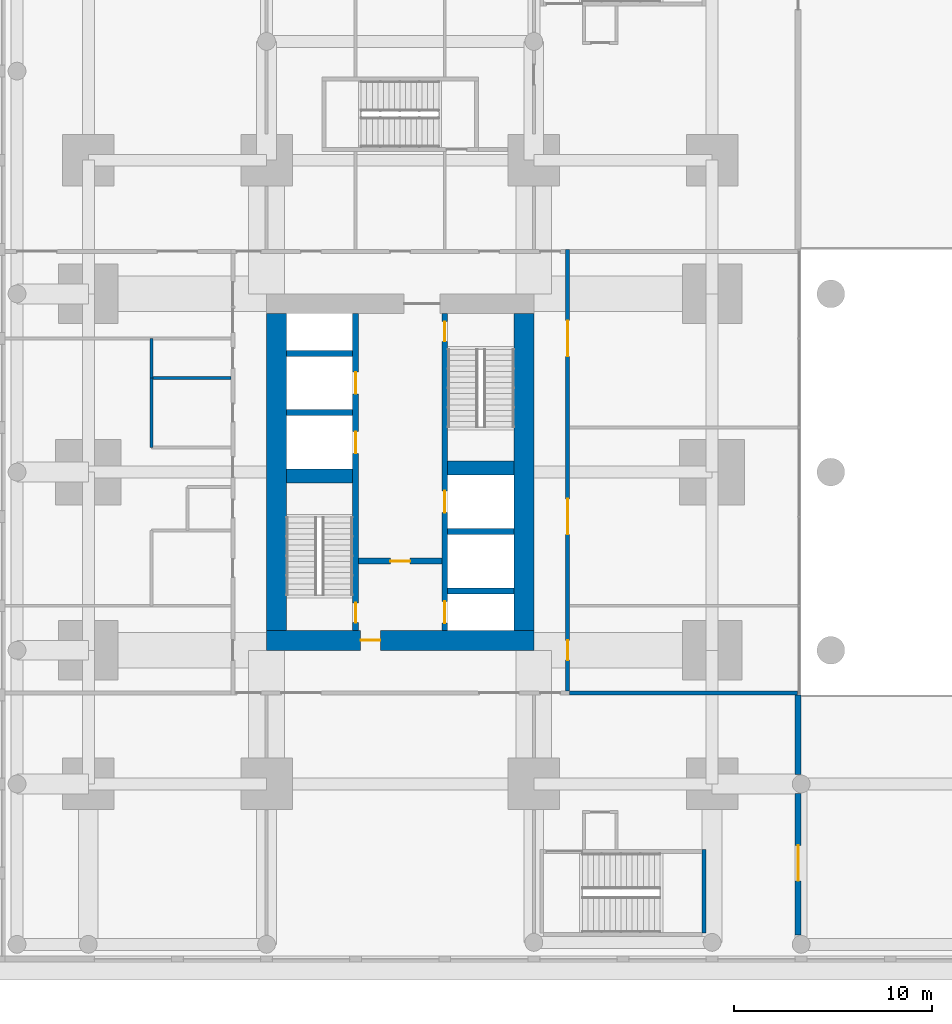
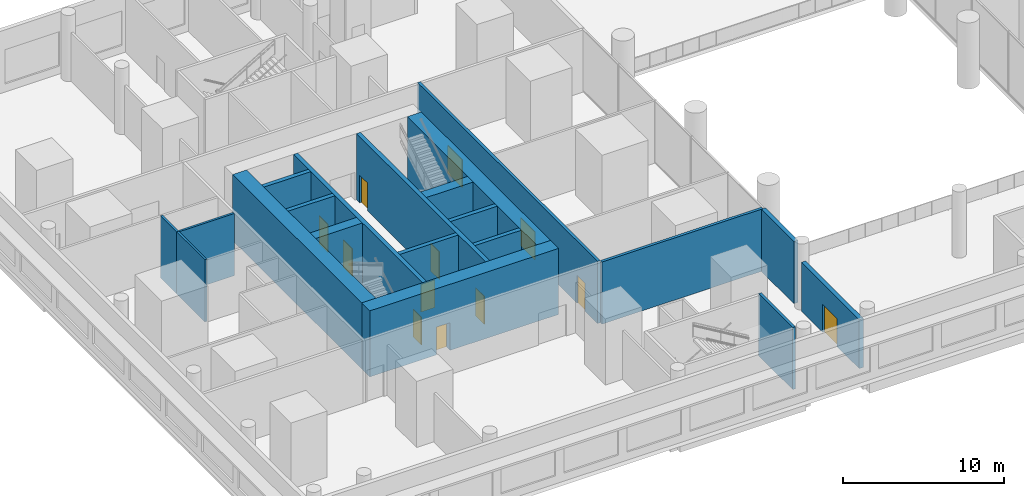
# One storey, part 10 of 21: 20 walls, 12 doors, 12 openings.
"""IFC4 building model written with IfcOpenShell, lengths in metres."""

from ifc_helpers import new_model, si_unit, direction, frame, frame_2d, origin, place, context, subcontext, project, spatial, rectangle, extrude, material, layer, layer_set, type_object, element, fill, save


model = new_model("IFC4")

# Units and contexts
model_context = context("Model", 3, precision=1e-05, world=origin(), true_north=direction((0.0, 1.0)))
body_context = subcontext(model_context, "Body", "Model", "MODEL_VIEW")
ifc_project = project(units=[si_unit("LENGTHUNIT", "METRE"), si_unit("AREAUNIT", "SQUARE_METRE"), si_unit("VOLUMEUNIT", "CUBIC_METRE"), si_unit("PLANEANGLEUNIT", "RADIAN"), si_unit("MASSUNIT", "GRAM", prefix="KILO")], contexts=[model_context])

# Site, building, storey
site_placement = place(None, origin())
site = spatial("IfcSite", under=ifc_project, at=site_placement, CompositionType="ELEMENT")
building_placement = place(site_placement, origin())
building = spatial("IfcBuilding", under=site, at=building_placement, Name="Namib Vertical Campus", CompositionType="ELEMENT")
storey_placement = place(building_placement, frame((0.0, 0.0, 6.0)))
storey = spatial("IfcBuildingStorey", under=building, at=storey_placement, Name="L01", CompositionType="ELEMENT", Elevation=6.0)

# Wall, openings, doors
ifc_material_1 = material(Name="Concrete C60/75", Category="concrete")
ifc_layer_1 = layer(ifc_material_1, 0.300048828125)
ifc_layer_set_1 = layer_set([ifc_layer_1], Name="Concrete C60/75")
wall_type_1 = type_object("IfcWallType", Name="Core inner wall 300", PredefinedType="SHEAR", material=ifc_layer_set_1)
wall_1_placement = place(storey_placement, frame((18.0, 12.25, 0.0), z_axis=(0.0, 0.0, 1.0), x_axis=(0.0, 1.0, 0.0)))
wall_1 = element("IfcWall", 1, at=wall_1_placement, inside=storey, type_object=wall_type_1, Name="Core inner wall A L01 W1", PredefinedType="SHEAR", context=body_context, shape_type="SweptSolid", body=[
    extrude(rectangle(XDim=16.0, YDim=0.300048828125, at=frame_2d((8.0, 0.0))), origin(), (0.0, 0.0, 1.0), 5.0),
])
opening_1_placement = place(wall_1_placement, frame((0.39990234375, 0.0, 0.0)))
opening_1 = element("IfcOpeningElement", 2, at=opening_1_placement, cuts=wall_1, Name="Opening FD1", PredefinedType="OPENING", context=body_context, shape_type="SweptSolid", body=[
    extrude(rectangle(XDim=1.0, YDim=2.10009765625, at=frame_2d((0.5, 1.050048828125))), frame((0.0, 0.159912109375, 0.0), z_axis=(0.0, -1.0, 0.0), x_axis=(1.0, 0.0, 0.0)), (0.0, 0.0, 1.0), 0.320068359375),
])
opening_2_placement = place(wall_1_placement, frame((8.949951171875, 0.0, 0.0)))
opening_2 = element("IfcOpeningElement", 3, at=opening_2_placement, cuts=wall_1, Name="Opening LD1", PredefinedType="OPENING", context=body_context, shape_type="SweptSolid", body=[
    extrude(rectangle(XDim=1.10009765625, YDim=2.10009765625, at=frame_2d((0.550048828125, 1.050048828125))), frame((0.0, 0.159912109375, 0.0), z_axis=(0.0, -1.0, 0.0), x_axis=(1.0, 0.0, 0.0)), (0.0, 0.0, 1.0), 0.320068359375),
])
opening_3_placement = place(wall_1_placement, frame((11.949951171875, 0.0, 0.0)))
opening_3 = element("IfcOpeningElement", 4, at=opening_3_placement, cuts=wall_1, Name="Opening LD1", PredefinedType="OPENING", context=body_context, shape_type="SweptSolid", body=[
    extrude(rectangle(XDim=1.10009765625, YDim=2.10009765625, at=frame_2d((0.550048828125, 1.050048828125))), frame((0.0, 0.159912109375, 0.0), z_axis=(0.0, -1.0, 0.0), x_axis=(1.0, 0.0, 0.0)), (0.0, 0.0, 1.0), 0.320068359375),
])
ifc_material_2 = material(Name="Steel fire door", Category="steel")
door_type_1 = type_object("IfcDoorType", Name="Fire door 1000x2100", OperationType="SINGLE_SWING_RIGHT", PredefinedType="DOOR", material=ifc_material_2)
door_1_placement = place(opening_1_placement, origin())
door_1 = element("IfcDoor", 5, at=door_1_placement, inside=storey, type_object=door_type_1, Name="Stair door FD1 A L01 S1", OperationType="SINGLE_SWING_LEFT", OverallHeight=2.10009765625, OverallWidth=1.0, PredefinedType="DOOR", context=body_context, shape_type="SweptSolid", body=[
    extrude(rectangle(XDim=1.0, YDim=2.10009765625, at=frame_2d((0.5, 1.050048828125))), frame((0.0, 0.02490234375, 0.0), z_axis=(0.0, -1.0, 0.0), x_axis=(1.0, 0.0, 0.0)), (0.0, 0.0, 1.0), 0.050048828125),
])
fill(opening_1, door_1)
ifc_material_3 = material(Name="Stainless steel lift door", Category="steel")
door_type_2 = type_object("IfcDoorType", Name="Lift landing door 1100x2100", OperationType="DOUBLE_DOOR_SLIDING", PredefinedType="DOOR", material=ifc_material_3)
door_2_placement = place(opening_2_placement, origin())
door_2 = element("IfcDoor", 6, at=door_2_placement, inside=storey, type_object=door_type_2, Name="Lift landing door LD1 A-P1 L01", OperationType="DOUBLE_DOOR_SLIDING", OverallHeight=2.10009765625, OverallWidth=1.10009765625, PredefinedType="DOOR", context=body_context, shape_type="SweptSolid", body=[
    extrude(rectangle(XDim=1.10009765625, YDim=2.10009765625, at=frame_2d((0.550048828125, 1.050048828125))), frame((0.0, 0.02490234375, 0.0), z_axis=(0.0, -1.0, 0.0), x_axis=(1.0, 0.0, 0.0)), (0.0, 0.0, 1.0), 0.050048828125),
])
fill(opening_2, door_2)
door_3_placement = place(opening_3_placement, origin())
door_3 = element("IfcDoor", 7, at=door_3_placement, inside=storey, type_object=door_type_2, Name="Lift landing door LD1 A-P2 L01", OperationType="DOUBLE_DOOR_SLIDING", OverallHeight=2.10009765625, OverallWidth=1.10009765625, PredefinedType="DOOR", context=body_context, shape_type="SweptSolid", body=[
    extrude(rectangle(XDim=1.10009765625, YDim=2.10009765625, at=frame_2d((0.550048828125, 1.050048828125))), frame((0.0, 0.02490234375, 0.0), z_axis=(0.0, -1.0, 0.0), x_axis=(1.0, 0.0, 0.0)), (0.0, 0.0, 1.0), 0.050048828125),
])
fill(opening_3, door_3)

wall_2_placement = place(storey_placement, frame((22.5, 12.25, 0.0), z_axis=(0.0, 0.0, 1.0), x_axis=(0.0, 1.0, 0.0)))
wall_2 = element("IfcWall", 8, at=wall_2_placement, inside=storey, type_object=wall_type_1, Name="Core inner wall A L01 W2", PredefinedType="SHEAR", context=body_context, shape_type="SweptSolid", body=[
    extrude(rectangle(XDim=16.0, YDim=0.300048828125, at=frame_2d((8.0, 0.0))), origin(), (0.0, 0.0, 1.0), 5.0),
])
opening_4_placement = place(wall_2_placement, frame((14.60009765625, 0.0, 0.0)))
opening_4 = element("IfcOpeningElement", 9, at=opening_4_placement, cuts=wall_2, Name="Opening FD1", PredefinedType="OPENING", context=body_context, shape_type="SweptSolid", body=[
    extrude(rectangle(XDim=1.0, YDim=2.10009765625, at=frame_2d((0.5, 1.050048828125))), frame((0.0, 0.159912109375, 0.0), z_axis=(0.0, -1.0, 0.0), x_axis=(1.0, 0.0, 0.0)), (0.0, 0.0, 1.0), 0.320068359375),
])
opening_5_placement = place(wall_2_placement, frame((0.375, 0.0, 0.0)))
opening_5 = element("IfcOpeningElement", 10, at=opening_5_placement, cuts=wall_2, Name="Opening LD1", PredefinedType="OPENING", context=body_context, shape_type="SweptSolid", body=[
    extrude(rectangle(XDim=1.10009765625, YDim=2.10009765625, at=frame_2d((0.550048828125, 1.050048828125))), frame((0.0, 0.159912109375, 0.0), z_axis=(0.0, -1.0, 0.0), x_axis=(1.0, 0.0, 0.0)), (0.0, 0.0, 1.0), 0.320068359375),
])
opening_6_placement = place(wall_2_placement, frame((5.949951171875, 0.0, 0.0)))
opening_6 = element("IfcOpeningElement", 11, at=opening_6_placement, cuts=wall_2, Name="Opening LD1", PredefinedType="OPENING", context=body_context, shape_type="SweptSolid", body=[
    extrude(rectangle(XDim=1.10009765625, YDim=2.10009765625, at=frame_2d((0.550048828125, 1.050048828125))), frame((0.0, 0.159912109375, 0.0), z_axis=(0.0, -1.0, 0.0), x_axis=(1.0, 0.0, 0.0)), (0.0, 0.0, 1.0), 0.320068359375),
])
door_4_placement = place(opening_4_placement, frame((1.0, 0.0, 0.0), z_axis=(0.0, 0.0, 1.0), x_axis=(-1.0, 0.0, 0.0)))
door_4 = element("IfcDoor", 12, at=door_4_placement, inside=storey, type_object=door_type_1, Name="Stair door FD1 A L01 S2", OperationType="SINGLE_SWING_LEFT", OverallHeight=2.10009765625, OverallWidth=1.0, PredefinedType="DOOR", context=body_context, shape_type="SweptSolid", body=[
    extrude(rectangle(XDim=1.0, YDim=2.10009765625, at=frame_2d((0.5, 1.050048828125))), frame((0.0, 0.02490234375, 0.0), z_axis=(0.0, -1.0, 0.0), x_axis=(1.0, 0.0, 0.0)), (0.0, 0.0, 1.0), 0.050048828125),
])
fill(opening_4, door_4)
door_5_placement = place(opening_5_placement, origin())
door_5 = element("IfcDoor", 13, at=door_5_placement, inside=storey, type_object=door_type_2, Name="Lift landing door LD1 A-FL1 L01", OperationType="DOUBLE_DOOR_SLIDING", OverallHeight=2.10009765625, OverallWidth=1.10009765625, PredefinedType="DOOR", context=body_context, shape_type="SweptSolid", body=[
    extrude(rectangle(XDim=1.10009765625, YDim=2.10009765625, at=frame_2d((0.550048828125, 1.050048828125))), frame((0.0, 0.02490234375, 0.0), z_axis=(0.0, -1.0, 0.0), x_axis=(1.0, 0.0, 0.0)), (0.0, 0.0, 1.0), 0.050048828125),
])
fill(opening_5, door_5)
door_6_placement = place(opening_6_placement, origin())
door_6 = element("IfcDoor", 14, at=door_6_placement, inside=storey, type_object=door_type_2, Name="Lift landing door LD1 A-P5 L01", OperationType="DOUBLE_DOOR_SLIDING", OverallHeight=2.10009765625, OverallWidth=1.10009765625, PredefinedType="DOOR", context=body_context, shape_type="SweptSolid", body=[
    extrude(rectangle(XDim=1.10009765625, YDim=2.10009765625, at=frame_2d((0.550048828125, 1.050048828125))), frame((0.0, 0.02490234375, 0.0), z_axis=(0.0, -1.0, 0.0), x_axis=(1.0, 0.0, 0.0)), (0.0, 0.0, 1.0), 0.050048828125),
])
fill(opening_6, door_6)

# Wall, opening, door
wall_3_placement = place(storey_placement, frame((18.14990234375, 15.75, 0.0), z_axis=(0.0, 0.0, 1.0), x_axis=(1.0, 0.0, 0.0)))
wall_3 = element("IfcWall", 15, at=wall_3_placement, inside=storey, type_object=wall_type_1, Name="Core inner wall A L01 W4", PredefinedType="SHEAR", context=body_context, shape_type="SweptSolid", body=[
    extrude(rectangle(XDim=4.2001953125, YDim=0.300048828125, at=frame_2d((2.10009765625, 0.0))), origin(), (0.0, 0.0, 1.0), 5.0),
])
opening_7_placement = place(wall_3_placement, frame((1.60009765625, 0.0, 0.0)))
opening_7 = element("IfcOpeningElement", 16, at=opening_7_placement, cuts=wall_3, Name="Opening FD5", PredefinedType="OPENING", context=body_context, shape_type="SweptSolid", body=[
    extrude(rectangle(XDim=1.0, YDim=2.10009765625, at=frame_2d((0.5, 1.050048828125))), frame((0.0, 0.159912109375, 0.0), z_axis=(0.0, -1.0, 0.0), x_axis=(1.0, 0.0, 0.0)), (0.0, 0.0, 1.0), 0.320068359375),
])
ifc_material_4 = material(Name="Steel fire door", Category="steel")
door_type_3 = type_object("IfcDoorType", Name="Fire door 1000x2100 120 min", OperationType="SINGLE_SWING_RIGHT", PredefinedType="DOOR", material=ifc_material_4)
door_7_placement = place(opening_7_placement, frame((1.0, 0.0, 0.0), z_axis=(0.0, 0.0, 1.0), x_axis=(-1.0, 0.0, 0.0)))
door_7 = element("IfcDoor", 17, at=door_7_placement, inside=storey, type_object=door_type_3, Name="Lobby door FD5 A L01", OperationType="SINGLE_SWING_RIGHT", OverallHeight=2.10009765625, OverallWidth=1.0, PredefinedType="DOOR", context=body_context, shape_type="SweptSolid", body=[
    extrude(rectangle(XDim=1.0, YDim=2.10009765625, at=frame_2d((0.5, 1.050048828125))), frame((0.0, 0.02490234375, 0.0), z_axis=(0.0, -1.0, 0.0), x_axis=(1.0, 0.0, 0.0)), (0.0, 0.0, 1.0), 0.050048828125),
])
fill(opening_7, door_7)

# Walls
for number, where, z_axis, x_axis, name in (
    (18, (22.64990234375, 14.25, 0.0), (0.0, 0.0, 1.0), (1.0, 0.0, 0.0), "Core inner wall A L01 W5"),
    (19, (22.64990234375, 17.25, 0.0), (0.0, 0.0, 1.0), (1.0, 0.0, 0.0), "Core inner wall A L01 W6"),
    (20, (14.5, 23.25, 0.0), (0.0, 0.0, 1.0), (1.0, 0.0, 0.0), "Core inner wall A L01 W8"),
    (21, (14.5, 26.25, 0.0), (0.0, 0.0, 1.0), (1.0, 0.0, 0.0), "Core inner wall A L01 W9"),
):
    element("IfcWall", number, at=place(storey_placement, frame(where, z_axis=z_axis, x_axis=x_axis)), inside=storey, type_object=wall_type_1, Name=name, PredefinedType="SHEAR", context=body_context, shape_type="SweptSolid", body=[
        extrude(rectangle(XDim=3.35009765625, YDim=0.300048828125, at=frame_2d((1.675048828125, 0.0))), origin(), (0.0, 0.0, 1.0), 5.0),
    ])
ifc_material_5 = material(Name="Concrete C60/75", Category="concrete")
ifc_layer_2 = layer(ifc_material_5, 0.699951171875)
ifc_layer_set_2 = layer_set([ifc_layer_2], Name="Concrete C60/75")
wall_type_2 = type_object("IfcWallType", Name="Core shear wall 700", PredefinedType="SHEAR", material=ifc_layer_set_2)
for number, where, z_axis, x_axis, name in (
    (22, (14.5, 20.050048828125, 0.0), (0.0, 0.0, 1.0), (1.0, 0.0, 0.0), "Core shear wall A L01 W3"),
    (23, (22.64990234375, 20.449951171875, 0.0), (0.0, 0.0, 1.0), (1.0, 0.0, 0.0), "Core shear wall A L01 W7"),
):
    element("IfcWall", number, at=place(storey_placement, frame(where, z_axis=z_axis, x_axis=x_axis)), inside=storey, type_object=wall_type_2, Name=name, PredefinedType="SHEAR", context=body_context, shape_type="SweptSolid", body=[
        extrude(rectangle(XDim=3.35009765625, YDim=0.699951171875, at=frame_2d((1.675048828125, 0.0))), origin(), (0.0, 0.0, 1.0), 5.0),
    ])

# Wall, opening, door
ifc_material_6 = material(Name="Concrete C60/75", Category="concrete")
ifc_layer_3 = layer(ifc_material_6, 1.0)
ifc_layer_set_3 = layer_set([ifc_layer_3], Name="Concrete C60/75")
wall_type_3 = type_object("IfcWallType", Name="Core wall 1000", PredefinedType="SHEAR", material=ifc_layer_set_3)
wall_4_placement = place(storey_placement, frame((13.5, 11.75, 0.0), z_axis=(0.0, 0.0, 1.0), x_axis=(1.0, 0.0, 0.0)))
wall_4 = element("IfcWall", 24, at=wall_4_placement, inside=storey, type_object=wall_type_3, Name="Core wall A L01 1", PredefinedType="SHEAR", context=body_context, shape_type="SweptSolid", body=[
    extrude(rectangle(XDim=13.5, YDim=1.0, at=frame_2d((6.75, 0.0))), origin(), (0.0, 0.0, 1.0), 5.0),
])
opening_8_placement = place(wall_4_placement, frame((4.75, 0.0, 0.0)))
opening_8 = element("IfcOpeningElement", 25, at=opening_8_placement, cuts=wall_4, Name="Opening FD5", PredefinedType="OPENING", context=body_context, shape_type="SweptSolid", body=[
    extrude(rectangle(XDim=1.0, YDim=2.10009765625, at=frame_2d((0.5, 1.050048828125))), frame((0.0, 0.510009765625, 0.0), z_axis=(0.0, -1.0, 0.0), x_axis=(1.0, 0.0, 0.0)), (0.0, 0.0, 1.0), 1.02001953125),
])
door_8_placement = place(opening_8_placement, origin())
door_8 = element("IfcDoor", 26, at=door_8_placement, inside=storey, type_object=door_type_3, Name="Firefighting lobby door FD5 A L01", OperationType="SINGLE_SWING_LEFT", OverallHeight=2.10009765625, OverallWidth=1.0, PredefinedType="DOOR", context=body_context, shape_type="SweptSolid", body=[
    extrude(rectangle(XDim=1.0, YDim=2.10009765625, at=frame_2d((0.5, 1.050048828125))), frame((0.0, 0.02490234375, 0.0), z_axis=(0.0, -1.0, 0.0), x_axis=(1.0, 0.0, 0.0)), (0.0, 0.0, 1.0), 0.050048828125),
])
fill(opening_8, door_8)

# Walls
for number, where, z_axis, x_axis, name in (
    (27, (26.5, 12.25, 0.0), (0.0, 0.0, 1.0), (0.0, 1.0, 0.0), "Core wall A L01 2"),
    (28, (14.0, 28.25, 0.0), (0.0, 0.0, 1.0), (0.0, -1.0, 0.0), "Core wall A L01 4"),
):
    element("IfcWall", number, at=place(storey_placement, frame(where, z_axis=z_axis, x_axis=x_axis)), inside=storey, type_object=wall_type_3, Name=name, PredefinedType="SHEAR", context=body_context, shape_type="SweptSolid", body=[
        extrude(rectangle(XDim=16.0, YDim=1.0, at=frame_2d((8.0, 0.0))), origin(), (0.0, 0.0, 1.0), 5.0),
    ])

# Wall, openings, doors
ifc_material_7 = material(Name="Concrete masonry", Category="masonry")
ifc_layer_4 = layer(ifc_material_7, 0.199951171875)
ifc_layer_set_4 = layer_set([ifc_layer_4], Name="Corridor wall 200")
wall_type_4 = type_object("IfcWallType", Name="Corridor wall 200", PredefinedType="SOLIDWALL", material=ifc_layer_set_4)
wall_5_placement = place(storey_placement, frame((28.699951171875, 9.199951171875, 0.0), z_axis=(0.0, 0.0, 1.0), x_axis=(0.0, 1.0, 0.0)))
wall_5 = element("IfcWall", 29, at=wall_5_placement, inside=storey, type_object=wall_type_4, Name="Corridor wall A L01 CE", PredefinedType="SOLIDWALL", context=body_context, shape_type="SweptSolid", body=[
    extrude(rectangle(XDim=22.300048828125, YDim=0.199951171875, at=frame_2d((11.14990234375, 0.0))), origin(), (0.0, 0.0, 1.0), 4.699951171875),
])
opening_9_placement = place(wall_5_placement, frame((1.550048828125, 0.0, 0.0)))
opening_9 = element("IfcOpeningElement", 30, at=opening_9_placement, cuts=wall_5, Name="Opening CD1", PredefinedType="OPENING", context=body_context, shape_type="SweptSolid", body=[
    extrude(rectangle(XDim=1.0, YDim=2.10009765625, at=frame_2d((0.5, 1.050048828125))), frame((0.0, 0.10986328125, 0.0), z_axis=(0.0, -1.0, 0.0), x_axis=(1.0, 0.0, 0.0)), (0.0, 0.0, 1.0), 0.219970703125),
])
opening_10_placement = place(wall_5_placement, frame((7.89990234375, 0.0, 0.0)))
opening_10 = element("IfcOpeningElement", 31, at=opening_10_placement, cuts=wall_5, Name="Opening CD2", PredefinedType="OPENING", context=body_context, shape_type="SweptSolid", body=[
    extrude(rectangle(XDim=1.800048828125, YDim=2.10009765625, at=frame_2d((0.89990234375, 1.050048828125))), frame((0.0, 0.10986328125, 0.0), z_axis=(0.0, -1.0, 0.0), x_axis=(1.0, 0.0, 0.0)), (0.0, 0.0, 1.0), 0.219970703125),
])
opening_11_placement = place(wall_5_placement, frame((16.89990234375, 0.0, 0.0)))
opening_11 = element("IfcOpeningElement", 32, at=opening_11_placement, cuts=wall_5, Name="Opening CD2", PredefinedType="OPENING", context=body_context, shape_type="SweptSolid", body=[
    extrude(rectangle(XDim=1.800048828125, YDim=2.10009765625, at=frame_2d((0.89990234375, 1.050048828125))), frame((0.0, 0.10986328125, 0.0), z_axis=(0.0, -1.0, 0.0), x_axis=(1.0, 0.0, 0.0)), (0.0, 0.0, 1.0), 0.219970703125),
])
ifc_material_8 = material(Name="Timber fire door leaf", Category="wood")
door_type_4 = type_object("IfcDoorType", Name="Corridor door 1000x2100 20 min", OperationType="SINGLE_SWING_LEFT", PredefinedType="DOOR", material=ifc_material_8)
door_9_placement = place(opening_9_placement, frame((1.0, 0.0, 0.0), z_axis=(0.0, 0.0, 1.0), x_axis=(-1.0, 0.0, 0.0)))
door_9 = element("IfcDoor", 33, at=door_9_placement, inside=storey, type_object=door_type_4, Name="Door CD1 A01-04", OperationType="SINGLE_SWING_RIGHT", OverallHeight=2.10009765625, OverallWidth=1.0, PredefinedType="DOOR", context=body_context, shape_type="SweptSolid", body=[
    extrude(rectangle(XDim=1.0, YDim=2.10009765625, at=frame_2d((0.5, 1.050048828125))), frame((0.0, 0.02490234375, 0.0), z_axis=(0.0, -1.0, 0.0), x_axis=(1.0, 0.0, 0.0)), (0.0, 0.0, 1.0), 0.050048828125),
])
fill(opening_9, door_9)
ifc_material_9 = material(Name="Timber fire door leaf", Category="wood")
door_type_5 = type_object("IfcDoorType", Name="Corridor door double 1800x2100 20 min", OperationType="DOUBLE_DOOR_SINGLE_SWING", PredefinedType="DOOR", material=ifc_material_9)
door_10_placement = place(opening_10_placement, frame((1.800048828125, 0.0, 0.0), z_axis=(0.0, 0.0, 1.0), x_axis=(-1.0, 0.0, 0.0)))
door_10 = element("IfcDoor", 34, at=door_10_placement, inside=storey, type_object=door_type_5, Name="Door CD2 A01-05", OperationType="DOUBLE_DOOR_SINGLE_SWING", OverallHeight=2.10009765625, OverallWidth=1.800048828125, PredefinedType="DOOR", context=body_context, shape_type="SweptSolid", body=[
    extrude(rectangle(XDim=1.800048828125, YDim=2.10009765625, at=frame_2d((0.89990234375, 1.050048828125))), frame((0.0, 0.02490234375, 0.0), z_axis=(0.0, -1.0, 0.0), x_axis=(1.0, 0.0, 0.0)), (0.0, 0.0, 1.0), 0.050048828125),
])
fill(opening_10, door_10)
door_11_placement = place(opening_11_placement, frame((1.800048828125, 0.0, 0.0), z_axis=(0.0, 0.0, 1.0), x_axis=(-1.0, 0.0, 0.0)))
door_11 = element("IfcDoor", 35, at=door_11_placement, inside=storey, type_object=door_type_5, Name="Door CD2 A01-06", OperationType="DOUBLE_DOOR_SINGLE_SWING", OverallHeight=2.10009765625, OverallWidth=1.800048828125, PredefinedType="DOOR", context=body_context, shape_type="SweptSolid", body=[
    extrude(rectangle(XDim=1.800048828125, YDim=2.10009765625, at=frame_2d((0.89990234375, 1.050048828125))), frame((0.0, 0.02490234375, 0.0), z_axis=(0.0, -1.0, 0.0), x_axis=(1.0, 0.0, 0.0)), (0.0, 0.0, 1.0), 0.050048828125),
])
fill(opening_11, door_11)

# Wall
wall_6_placement = place(storey_placement, frame((28.800048828125, 9.10009765625, 0.0), z_axis=(0.0, 0.0, 1.0), x_axis=(1.0, 0.0, 0.0)))
element("IfcWall", 36, at=wall_6_placement, inside=storey, type_object=wall_type_4, Name="Partition A L01 BSE", PredefinedType="SOLIDWALL", context=body_context, shape_type="SweptSolid", body=[
    extrude(rectangle(XDim=11.52001953125, YDim=0.199951171875, at=frame_2d((5.760009765625, 0.0))), origin(), (0.0, 0.0, 1.0), 4.699951171875),
])

# Wall, opening, door
ifc_material_10 = material(Name="Concrete masonry", Category="masonry")
ifc_layer_5 = layer(ifc_material_10, 0.300048828125)
ifc_layer_set_5 = layer_set([ifc_layer_5], Name="Fire wall 300")
wall_type_5 = type_object("IfcWallType", Name="Fire wall 300", PredefinedType="SOLIDWALL", material=ifc_layer_set_5)
wall_7_placement = place(storey_placement, frame((40.35009765625, -3.1298828125, 0.0), z_axis=(0.0, 0.0, 1.0), x_axis=(0.0, 1.0, 0.0)))
wall_7 = element("IfcWall", 37, at=wall_7_placement, inside=storey, type_object=wall_type_5, Name="Fire wall A L01", PredefinedType="SOLIDWALL", context=body_context, shape_type="SweptSolid", body=[
    extrude(rectangle(XDim=7.159912109375, YDim=0.300048828125, at=frame_2d((3.580078125, 0.0))), origin(), (0.0, 0.0, 1.0), 3.699951171875),
])
opening_12_placement = place(wall_7_placement, frame((2.72998046875, 0.0, 0.0)))
opening_12 = element("IfcOpeningElement", 38, at=opening_12_placement, cuts=wall_7, Name="Opening FD2", PredefinedType="OPENING", context=body_context, shape_type="SweptSolid", body=[
    extrude(rectangle(XDim=1.800048828125, YDim=2.10009765625, at=frame_2d((0.89990234375, 1.050048828125))), frame((0.0, 0.159912109375, 0.0), z_axis=(0.0, -1.0, 0.0), x_axis=(1.0, 0.0, 0.0)), (0.0, 0.0, 1.0), 0.320068359375),
])
ifc_material_11 = material(Name="Steel fire door", Category="steel")
door_type_6 = type_object("IfcDoorType", Name="Fire door double 1800x2100", OperationType="DOUBLE_DOOR_SINGLE_SWING", PredefinedType="DOOR", material=ifc_material_11)
door_12_placement = place(opening_12_placement, origin())
door_12 = element("IfcDoor", 39, at=door_12_placement, inside=storey, type_object=door_type_6, Name="Door FD2 middle A L01 1", OperationType="DOUBLE_DOOR_SINGLE_SWING", OverallHeight=2.10009765625, OverallWidth=1.800048828125, PredefinedType="DOOR", context=body_context, shape_type="SweptSolid", body=[
    extrude(rectangle(XDim=1.800048828125, YDim=2.10009765625, at=frame_2d((0.89990234375, 1.050048828125))), frame((0.0, 0.02490234375, 0.0), z_axis=(0.0, -1.0, 0.0), x_axis=(1.0, 0.0, 0.0)), (0.0, 0.0, 1.0), 0.050048828125),
])
fill(opening_12, door_12)

# Walls
wall_8_placement = place(storey_placement, frame((40.35009765625, 4.969970703125, 0.0), z_axis=(0.0, 0.0, 1.0), x_axis=(0.0, 1.0, 0.0)))
element("IfcWall", 40, at=wall_8_placement, inside=storey, type_object=wall_type_5, Name="Fire wall A L01", PredefinedType="SOLIDWALL", context=body_context, shape_type="SweptSolid", body=[
    extrude(rectangle(XDim=4.030029296875, YDim=0.300048828125, at=frame_2d((2.01513671875, 0.0))), origin(), (0.0, 0.0, 1.0), 4.699951171875),
])
ifc_material_12 = material(Name="Gypsum board on steel studs", Category="steel")
ifc_layer_6 = layer(ifc_material_12, 0.14990234375)
ifc_layer_set_6 = layer_set([ifc_layer_6], Name="Gypsum board on steel studs")
wall_type_6 = type_object("IfcWallType", Name="Partition 150", PredefinedType="PARTITIONING", material=ifc_layer_set_6)
wall_9_placement = place(storey_placement, frame((11.699951171875, 25.0, 0.0), z_axis=(0.0, 0.0, 1.0), x_axis=(-1.0, 0.0, 0.0)))
element("IfcWall", 41, at=wall_9_placement, inside=storey, type_object=wall_type_6, Name="Partition A L01 WR4", PredefinedType="PARTITIONING", context=body_context, shape_type="SweptSolid", body=[
    extrude(rectangle(XDim=4.0, YDim=0.14990234375, at=frame_2d((2.0, 0.0))), origin(), (0.0, 0.0, 1.0), 4.699951171875),
])
wall_10_placement = place(storey_placement, frame((7.699951171875, 21.5, 0.0), z_axis=(0.0, 0.0, 1.0), x_axis=(0.0, 1.0, 0.0)))
element("IfcWall", 42, at=wall_10_placement, inside=storey, type_object=wall_type_6, Name="Partition A L01 WB3", PredefinedType="PARTITIONING", context=body_context, shape_type="SweptSolid", body=[
    extrude(rectangle(XDim=3.5, YDim=0.14990234375, at=frame_2d((1.75, 0.0))), origin(), (0.0, 0.0, 1.0), 4.699951171875),
])
wall_11_placement = place(storey_placement, frame((7.699951171875, 25.0, 0.0), z_axis=(0.0, 0.0, 1.0), x_axis=(0.0, 1.0, 0.0)))
element("IfcWall", 43, at=wall_11_placement, inside=storey, type_object=wall_type_6, Name="Partition A L01 WB4", PredefinedType="PARTITIONING", context=body_context, shape_type="SweptSolid", body=[
    extrude(rectangle(XDim=2.0, YDim=0.14990234375, at=frame_2d((1.0, 0.0))), origin(), (0.0, 0.0, 1.0), 4.699951171875),
])
ifc_material_13 = material(Name="Concrete C40/50", Category="concrete")
ifc_layer_7 = layer(ifc_material_13, 0.199951171875)
ifc_layer_set_7 = layer_set([ifc_layer_7], Name="Concrete C40/50")
wall_type_7 = type_object("IfcWallType", Name="Stair enclosure wall RC 200", PredefinedType="SOLIDWALL", material=ifc_layer_set_7)
wall_12_placement = place(storey_placement, frame((35.60009765625, -3.030029296875, 0.0), z_axis=(0.0, 0.0, 1.0), x_axis=(0.0, 1.0, 0.0)))
element("IfcWall", 44, at=wall_12_placement, inside=storey, type_object=wall_type_7, Name="Stair enclosure wall P-S2 L01 E", PredefinedType="SOLIDWALL", context=body_context, shape_type="SweptSolid", body=[
    extrude(rectangle(XDim=4.22998046875, YDim=0.199951171875, at=frame_2d((2.114990234375, 0.0))), origin(), (0.0, 0.0, 1.0), 4.699951171875),
])

save(model, "model.ifc")
